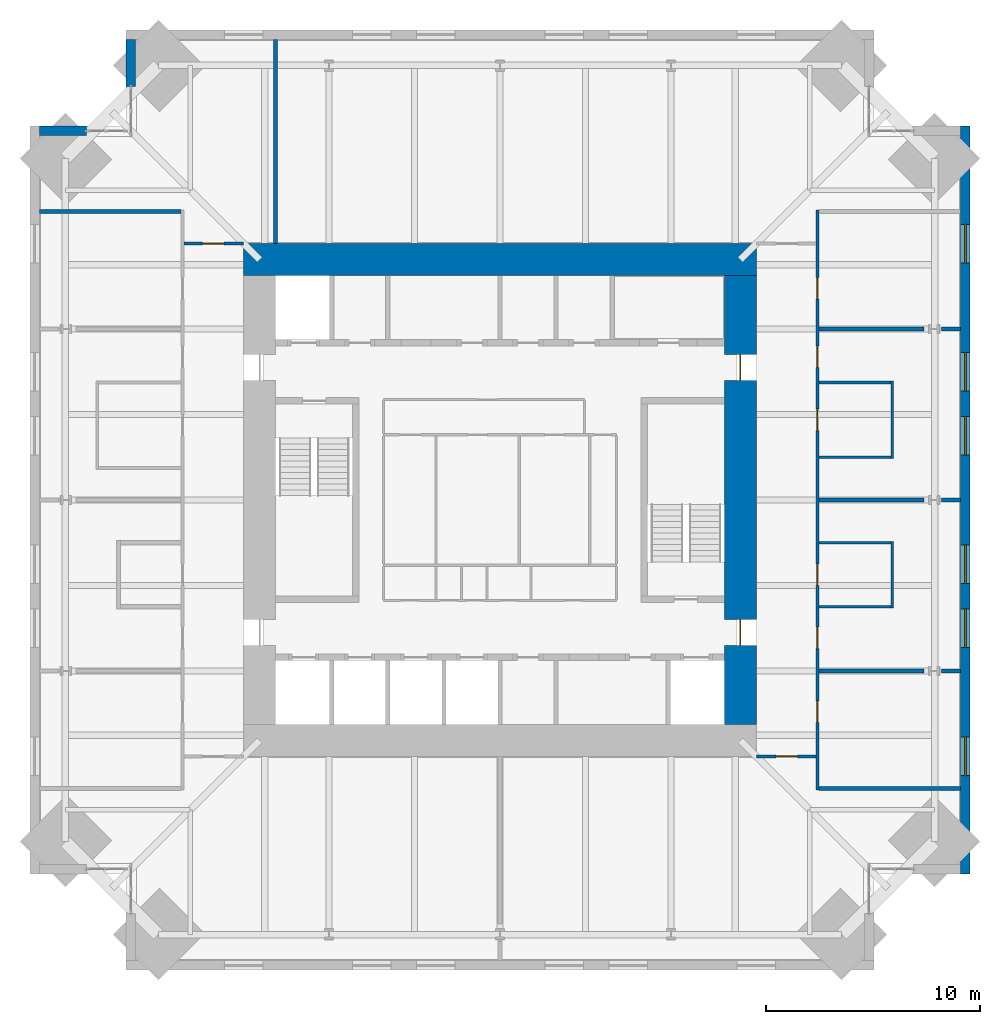
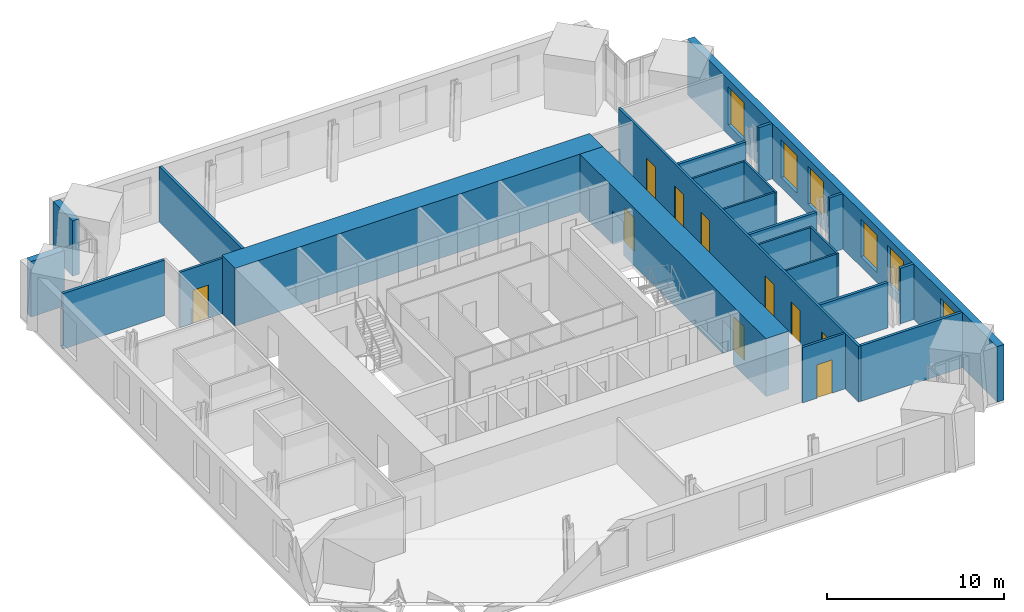
# One storey, part 14 of 16: 23 walls, 10 doors, 6 windows, 16 openings.
"""IFC4 building model written with IfcOpenShell, lengths in metres."""

from ifc_helpers import new_model, si_unit, direction, frame, frame_2d, origin, place, context, subcontext, project, spatial, rectangle, extrude, material, layer, layer_set, type_object, element, fill, save


model = new_model("IFC4")

# Units and contexts
model_context = context("Model", 3, precision=1e-05, world=origin(), true_north=direction((0.0, 1.0)))
body_context = subcontext(model_context, "Body", "Model", "MODEL_VIEW")
ifc_project = project(units=[si_unit("LENGTHUNIT", "METRE"), si_unit("AREAUNIT", "SQUARE_METRE"), si_unit("VOLUMEUNIT", "CUBIC_METRE"), si_unit("PLANEANGLEUNIT", "RADIAN"), si_unit("MASSUNIT", "GRAM", prefix="KILO")], contexts=[model_context])

# Site, building, storey
site_placement = place(None, origin())
site = spatial("IfcSite", under=ifc_project, at=site_placement, CompositionType="ELEMENT")
building_placement = place(site_placement, origin())
building = spatial("IfcBuilding", under=site, at=building_placement, Name="Peilmerk Tower", CompositionType="ELEMENT")
storey_placement = place(building_placement, frame((0.0, 0.0, 261.800048828125)))
storey = spatial("IfcBuildingStorey", under=building, at=storey_placement, Name="L58", CompositionType="ELEMENT", Elevation=261.800048828125)

# Wall, openings, windows
ifc_material_1 = material(Name="Precast concrete C45/55, board-marked finish", Category="concrete")
ifc_layer_1 = layer(ifc_material_1, 0.449951171875)
ifc_layer_set_1 = layer_set([ifc_layer_1], Name="Precast concrete C45/55, board-marked finish")
wall_type_1 = type_object("IfcWallType", Name="EW1 450 precast concrete facade wall, board-marked", PredefinedType="SOLIDWALL", material=ifc_layer_set_1)
wall_1_placement = place(storey_placement, frame((21.77490234375, -17.5, 0.0), z_axis=(0.0, 0.0, 1.0), x_axis=(0.0, 1.0, 0.0)))
wall_1 = element("IfcWall", 1, at=wall_1_placement, inside=storey, type_object=wall_type_1, Name="Facade wall E L58", PredefinedType="SOLIDWALL", context=body_context, shape_type="SweptSolid", body=[
    extrude(rectangle(XDim=35.0, YDim=0.449951171875, at=frame_2d((17.5, 0.0))), origin(), (0.0, 0.0, 1.0), 3.829833984375),
])
opening_1_placement = place(wall_1_placement, frame((4.60009765625, 0.0, 0.699951171875)))
opening_1 = element("IfcOpeningElement", 2, at=opening_1_placement, cuts=wall_1, Name="Opening W1", PredefinedType="OPENING", context=body_context, shape_type="SweptSolid", body=[
    extrude(rectangle(XDim=1.800048828125, YDim=2.60009765625, at=frame_2d((0.89990234375, 1.300048828125))), frame((0.0, 0.23486328125, 0.0), z_axis=(0.0, -1.0, 0.0), x_axis=(1.0, 0.0, 0.0)), (0.0, 0.0, 1.0), 0.469970703125),
])
opening_2_placement = place(wall_1_placement, frame((10.60009765625, 0.0, 0.699951171875)))
opening_2 = element("IfcOpeningElement", 3, at=opening_2_placement, cuts=wall_1, Name="Opening W1", PredefinedType="OPENING", context=body_context, shape_type="SweptSolid", body=[
    extrude(rectangle(XDim=1.800048828125, YDim=2.60009765625, at=frame_2d((0.89990234375, 1.300048828125))), frame((0.0, 0.23486328125, 0.0), z_axis=(0.0, -1.0, 0.0), x_axis=(1.0, 0.0, 0.0)), (0.0, 0.0, 1.0), 0.469970703125),
])
opening_3_placement = place(wall_1_placement, frame((13.60009765625, 0.0, 0.699951171875)))
opening_3 = element("IfcOpeningElement", 4, at=opening_3_placement, cuts=wall_1, Name="Opening W1", PredefinedType="OPENING", context=body_context, shape_type="SweptSolid", body=[
    extrude(rectangle(XDim=1.800048828125, YDim=2.60009765625, at=frame_2d((0.89990234375, 1.300048828125))), frame((0.0, 0.23486328125, 0.0), z_axis=(0.0, -1.0, 0.0), x_axis=(1.0, 0.0, 0.0)), (0.0, 0.0, 1.0), 0.469970703125),
])
opening_4_placement = place(wall_1_placement, frame((19.60009765625, 0.0, 0.699951171875)))
opening_4 = element("IfcOpeningElement", 5, at=opening_4_placement, cuts=wall_1, Name="Opening W1", PredefinedType="OPENING", context=body_context, shape_type="SweptSolid", body=[
    extrude(rectangle(XDim=1.800048828125, YDim=2.60009765625, at=frame_2d((0.89990234375, 1.300048828125))), frame((0.0, 0.23486328125, 0.0), z_axis=(0.0, -1.0, 0.0), x_axis=(1.0, 0.0, 0.0)), (0.0, 0.0, 1.0), 0.469970703125),
])
opening_5_placement = place(wall_1_placement, frame((22.60009765625, 0.0, 0.699951171875)))
opening_5 = element("IfcOpeningElement", 6, at=opening_5_placement, cuts=wall_1, Name="Opening W1", PredefinedType="OPENING", context=body_context, shape_type="SweptSolid", body=[
    extrude(rectangle(XDim=1.800048828125, YDim=2.60009765625, at=frame_2d((0.89990234375, 1.300048828125))), frame((0.0, 0.23486328125, 0.0), z_axis=(0.0, -1.0, 0.0), x_axis=(1.0, 0.0, 0.0)), (0.0, 0.0, 1.0), 0.469970703125),
])
opening_6_placement = place(wall_1_placement, frame((28.60009765625, 0.0, 0.699951171875)))
opening_6 = element("IfcOpeningElement", 7, at=opening_6_placement, cuts=wall_1, Name="Opening W1", PredefinedType="OPENING", context=body_context, shape_type="SweptSolid", body=[
    extrude(rectangle(XDim=1.800048828125, YDim=2.60009765625, at=frame_2d((0.89990234375, 1.300048828125))), frame((0.0, 0.23486328125, 0.0), z_axis=(0.0, -1.0, 0.0), x_axis=(1.0, 0.0, 0.0)), (0.0, 0.0, 1.0), 0.469970703125),
])
ifc_material_2 = material(Name="Aluminium frame, clear double glazing", Category="aluminium")
window_type = type_object("IfcWindowType", Name="W1 1800x2600 office window", PartitioningType="SINGLE_PANEL", PredefinedType="WINDOW", material=ifc_material_2)
window_1_placement = place(opening_1_placement, origin())
window_1 = element("IfcWindow", 8, at=window_1_placement, inside=storey, type_object=window_type, Name="Window W1 L58", OverallHeight=2.60009765625, OverallWidth=1.800048828125, PartitioningType="SINGLE_PANEL", PredefinedType="WINDOW", context=body_context, shape_type="SweptSolid", body=[
    extrude(rectangle(XDim=1.800048828125, YDim=2.60009765625, at=frame_2d((0.89990234375, 1.300048828125))), frame((0.0, 0.030029296875, 0.0), z_axis=(0.0, -1.0, 0.0), x_axis=(1.0, 0.0, 0.0)), (0.0, 0.0, 1.0), 0.06005859375),
])
fill(opening_1, window_1)
window_2_placement = place(opening_2_placement, origin())
window_2 = element("IfcWindow", 9, at=window_2_placement, inside=storey, type_object=window_type, Name="Window W1 L58", OverallHeight=2.60009765625, OverallWidth=1.800048828125, PartitioningType="SINGLE_PANEL", PredefinedType="WINDOW", context=body_context, shape_type="SweptSolid", body=[
    extrude(rectangle(XDim=1.800048828125, YDim=2.60009765625, at=frame_2d((0.89990234375, 1.300048828125))), frame((0.0, 0.030029296875, 0.0), z_axis=(0.0, -1.0, 0.0), x_axis=(1.0, 0.0, 0.0)), (0.0, 0.0, 1.0), 0.06005859375),
])
fill(opening_2, window_2)
window_3_placement = place(opening_3_placement, origin())
window_3 = element("IfcWindow", 10, at=window_3_placement, inside=storey, type_object=window_type, Name="Window W1 L58", OverallHeight=2.60009765625, OverallWidth=1.800048828125, PartitioningType="SINGLE_PANEL", PredefinedType="WINDOW", context=body_context, shape_type="SweptSolid", body=[
    extrude(rectangle(XDim=1.800048828125, YDim=2.60009765625, at=frame_2d((0.89990234375, 1.300048828125))), frame((0.0, 0.030029296875, 0.0), z_axis=(0.0, -1.0, 0.0), x_axis=(1.0, 0.0, 0.0)), (0.0, 0.0, 1.0), 0.06005859375),
])
fill(opening_3, window_3)
window_4_placement = place(opening_4_placement, origin())
window_4 = element("IfcWindow", 11, at=window_4_placement, inside=storey, type_object=window_type, Name="Window W1 L58", OverallHeight=2.60009765625, OverallWidth=1.800048828125, PartitioningType="SINGLE_PANEL", PredefinedType="WINDOW", context=body_context, shape_type="SweptSolid", body=[
    extrude(rectangle(XDim=1.800048828125, YDim=2.60009765625, at=frame_2d((0.89990234375, 1.300048828125))), frame((0.0, 0.030029296875, 0.0), z_axis=(0.0, -1.0, 0.0), x_axis=(1.0, 0.0, 0.0)), (0.0, 0.0, 1.0), 0.06005859375),
])
fill(opening_4, window_4)
window_5_placement = place(opening_5_placement, origin())
window_5 = element("IfcWindow", 12, at=window_5_placement, inside=storey, type_object=window_type, Name="Window W1 L58", OverallHeight=2.60009765625, OverallWidth=1.800048828125, PartitioningType="SINGLE_PANEL", PredefinedType="WINDOW", context=body_context, shape_type="SweptSolid", body=[
    extrude(rectangle(XDim=1.800048828125, YDim=2.60009765625, at=frame_2d((0.89990234375, 1.300048828125))), frame((0.0, 0.030029296875, 0.0), z_axis=(0.0, -1.0, 0.0), x_axis=(1.0, 0.0, 0.0)), (0.0, 0.0, 1.0), 0.06005859375),
])
fill(opening_5, window_5)
window_6_placement = place(opening_6_placement, origin())
window_6 = element("IfcWindow", 13, at=window_6_placement, inside=storey, type_object=window_type, Name="Window W1 L58", OverallHeight=2.60009765625, OverallWidth=1.800048828125, PartitioningType="SINGLE_PANEL", PredefinedType="WINDOW", context=body_context, shape_type="SweptSolid", body=[
    extrude(rectangle(XDim=1.800048828125, YDim=2.60009765625, at=frame_2d((0.89990234375, 1.300048828125))), frame((0.0, 0.030029296875, 0.0), z_axis=(0.0, -1.0, 0.0), x_axis=(1.0, 0.0, 0.0)), (0.0, 0.0, 1.0), 0.06005859375),
])
fill(opening_6, window_6)

# Walls
for number, where, z_axis, x_axis, name in (
    (14, (-17.27490234375, 19.353759765625, 0.0), (0.0, 0.0, 1.0), (0.0, 1.0, 0.0), "Facade wall NWA L58"),
    (15, (-19.353759765625, 17.27490234375, 0.0), (0.0, 0.0, 1.0), (-1.0, 0.0, 0.0), "Facade wall NWB L58"),
):
    element("IfcWall", number, at=place(storey_placement, frame(where, z_axis=z_axis, x_axis=x_axis)), inside=storey, type_object=wall_type_1, Name=name, PredefinedType="SOLIDWALL", context=body_context, shape_type="SweptSolid", body=[
        extrude(rectangle(XDim=2.1962890625, YDim=0.449951171875, at=frame_2d((1.09814453125, 0.0))), origin(), (0.0, 0.0, 1.0), 3.829833984375),
    ])

# Wall, openings, doors
ifc_material_3 = material(Name="Calcium silicate block", Category="masonry")
ifc_layer_2 = layer(ifc_material_3, 0.14990234375)
ifc_layer_set_2 = layer_set([ifc_layer_2], Name="Calcium silicate block")
wall_type_2 = type_object("IfcWallType", Name="IW1 150 corridor partition, EI 60", PredefinedType="PARTITIONING", material=ifc_layer_set_2)
wall_2_placement = place(storey_placement, frame((14.85009765625, -13.574951171875, 0.0), z_axis=(0.0, 0.0, 1.0), x_axis=(0.0, 1.0, 0.0)))
wall_2 = element("IfcWall", 16, at=wall_2_placement, inside=storey, type_object=wall_type_2, Name="Corridor wall E L58", PredefinedType="PARTITIONING", context=body_context, shape_type="SweptSolid", body=[
    extrude(rectangle(XDim=27.14990234375, YDim=0.14990234375, at=frame_2d((13.574951171875, 0.0))), origin(), (0.0, 0.0, 1.0), 3.829833984375),
])
opening_7_placement = place(wall_2_placement, frame((3.175048828125, 0.0, 0.0)))
opening_7 = element("IfcOpeningElement", 17, at=opening_7_placement, cuts=wall_2, Name="Opening D1", PredefinedType="OPENING", context=body_context, shape_type="SweptSolid", body=[
    extrude(rectangle(XDim=1.0, YDim=2.300048828125, at=frame_2d((0.5, 1.14990234375))), frame((0.0, 0.0849609375, 0.0), z_axis=(0.0, -1.0, 0.0), x_axis=(1.0, 0.0, 0.0)), (0.0, 0.0, 1.0), 0.169921875),
])
opening_8_placement = place(wall_2_placement, frame((6.625, 0.0, 0.0)))
opening_8 = element("IfcOpeningElement", 18, at=opening_8_placement, cuts=wall_2, Name="Opening D1", PredefinedType="OPENING", context=body_context, shape_type="SweptSolid", body=[
    extrude(rectangle(XDim=1.0, YDim=2.300048828125, at=frame_2d((0.5, 1.14990234375))), frame((0.0, 0.0849609375, 0.0), z_axis=(0.0, -1.0, 0.0), x_axis=(1.0, 0.0, 0.0)), (0.0, 0.0, 1.0), 0.169921875),
])
opening_9_placement = place(wall_2_placement, frame((19.77490234375, 0.0, 0.0)))
opening_9 = element("IfcOpeningElement", 19, at=opening_9_placement, cuts=wall_2, Name="Opening D1", PredefinedType="OPENING", context=body_context, shape_type="SweptSolid", body=[
    extrude(rectangle(XDim=1.0, YDim=2.300048828125, at=frame_2d((0.5, 1.14990234375))), frame((0.0, 0.0849609375, 0.0), z_axis=(0.0, -1.0, 0.0), x_axis=(1.0, 0.0, 0.0)), (0.0, 0.0, 1.0), 0.169921875),
])
opening_10_placement = place(wall_2_placement, frame((22.97509765625, 0.0, 0.0)))
opening_10 = element("IfcOpeningElement", 20, at=opening_10_placement, cuts=wall_2, Name="Opening D1", PredefinedType="OPENING", context=body_context, shape_type="SweptSolid", body=[
    extrude(rectangle(XDim=1.0, YDim=2.300048828125, at=frame_2d((0.5, 1.14990234375))), frame((0.0, 0.0849609375, 0.0), z_axis=(0.0, -1.0, 0.0), x_axis=(1.0, 0.0, 0.0)), (0.0, 0.0, 1.0), 0.169921875),
])
opening_11_placement = place(wall_2_placement, frame((16.824951171875, 0.0, 0.0)))
opening_11 = element("IfcOpeningElement", 21, at=opening_11_placement, cuts=wall_2, Name="Opening D1", PredefinedType="OPENING", context=body_context, shape_type="SweptSolid", body=[
    extrude(rectangle(XDim=1.0, YDim=2.300048828125, at=frame_2d((0.5, 1.14990234375))), frame((0.0, 0.0849609375, 0.0), z_axis=(0.0, -1.0, 0.0), x_axis=(1.0, 0.0, 0.0)), (0.0, 0.0, 1.0), 0.169921875),
])
opening_12_placement = place(wall_2_placement, frame((9.574951171875, 0.0, 0.0)))
opening_12 = element("IfcOpeningElement", 22, at=opening_12_placement, cuts=wall_2, Name="Opening D1", PredefinedType="OPENING", context=body_context, shape_type="SweptSolid", body=[
    extrude(rectangle(XDim=1.0, YDim=2.300048828125, at=frame_2d((0.5, 1.14990234375))), frame((0.0, 0.0849609375, 0.0), z_axis=(0.0, -1.0, 0.0), x_axis=(1.0, 0.0, 0.0)), (0.0, 0.0, 1.0), 0.169921875),
])
ifc_material_4 = material(Name="Timber door in steel frame", Category="steel")
door_type_1 = type_object("IfcDoorType", Name="D1 1000x2300 room door, EI2 30", OperationType="SINGLE_SWING_LEFT", PredefinedType="DOOR", material=ifc_material_4)
door_1_placement = place(opening_7_placement, frame((1.0, 0.0, 0.0), z_axis=(0.0, 0.0, 1.0), x_axis=(-1.0, 0.0, 0.0)))
door_1 = element("IfcDoor", 23, at=door_1_placement, inside=storey, type_object=door_type_1, Name="Door Office L58", OperationType="SINGLE_SWING_LEFT", OverallHeight=2.300048828125, OverallWidth=1.0, PredefinedType="DOOR", context=body_context, shape_type="SweptSolid", body=[
    extrude(rectangle(XDim=1.0, YDim=2.300048828125, at=frame_2d((0.5, 1.14990234375))), frame((0.0, 0.02490234375, 0.0), z_axis=(0.0, -1.0, 0.0), x_axis=(1.0, 0.0, 0.0)), (0.0, 0.0, 1.0), 0.050048828125),
])
fill(opening_7, door_1)
door_2_placement = place(opening_8_placement, frame((1.0, 0.0, 0.0), z_axis=(0.0, 0.0, 1.0), x_axis=(-1.0, 0.0, 0.0)))
door_2 = element("IfcDoor", 24, at=door_2_placement, inside=storey, type_object=door_type_1, Name="Door Office L58", OperationType="SINGLE_SWING_LEFT", OverallHeight=2.300048828125, OverallWidth=1.0, PredefinedType="DOOR", context=body_context, shape_type="SweptSolid", body=[
    extrude(rectangle(XDim=1.0, YDim=2.300048828125, at=frame_2d((0.5, 1.14990234375))), frame((0.0, 0.02490234375, 0.0), z_axis=(0.0, -1.0, 0.0), x_axis=(1.0, 0.0, 0.0)), (0.0, 0.0, 1.0), 0.050048828125),
])
fill(opening_8, door_2)
door_3_placement = place(opening_9_placement, frame((1.0, 0.0, 0.0), z_axis=(0.0, 0.0, 1.0), x_axis=(-1.0, 0.0, 0.0)))
door_3 = element("IfcDoor", 25, at=door_3_placement, inside=storey, type_object=door_type_1, Name="Door Office L58", OperationType="SINGLE_SWING_LEFT", OverallHeight=2.300048828125, OverallWidth=1.0, PredefinedType="DOOR", context=body_context, shape_type="SweptSolid", body=[
    extrude(rectangle(XDim=1.0, YDim=2.300048828125, at=frame_2d((0.5, 1.14990234375))), frame((0.0, 0.02490234375, 0.0), z_axis=(0.0, -1.0, 0.0), x_axis=(1.0, 0.0, 0.0)), (0.0, 0.0, 1.0), 0.050048828125),
])
fill(opening_9, door_3)
door_4_placement = place(opening_10_placement, frame((1.0, 0.0, 0.0), z_axis=(0.0, 0.0, 1.0), x_axis=(-1.0, 0.0, 0.0)))
door_4 = element("IfcDoor", 26, at=door_4_placement, inside=storey, type_object=door_type_1, Name="Door Office L58", OperationType="SINGLE_SWING_LEFT", OverallHeight=2.300048828125, OverallWidth=1.0, PredefinedType="DOOR", context=body_context, shape_type="SweptSolid", body=[
    extrude(rectangle(XDim=1.0, YDim=2.300048828125, at=frame_2d((0.5, 1.14990234375))), frame((0.0, 0.02490234375, 0.0), z_axis=(0.0, -1.0, 0.0), x_axis=(1.0, 0.0, 0.0)), (0.0, 0.0, 1.0), 0.050048828125),
])
fill(opening_10, door_4)
door_5_placement = place(opening_11_placement, frame((1.0, 0.0, 0.0), z_axis=(0.0, 0.0, 1.0), x_axis=(-1.0, 0.0, 0.0)))
door_5 = element("IfcDoor", 27, at=door_5_placement, inside=storey, type_object=door_type_1, Name="Door Pantry L58", OperationType="SINGLE_SWING_LEFT", OverallHeight=2.300048828125, OverallWidth=1.0, PredefinedType="DOOR", context=body_context, shape_type="SweptSolid", body=[
    extrude(rectangle(XDim=1.0, YDim=2.300048828125, at=frame_2d((0.5, 1.14990234375))), frame((0.0, 0.02490234375, 0.0), z_axis=(0.0, -1.0, 0.0), x_axis=(1.0, 0.0, 0.0)), (0.0, 0.0, 1.0), 0.050048828125),
])
fill(opening_11, door_5)
door_6_placement = place(opening_12_placement, frame((1.0, 0.0, 0.0), z_axis=(0.0, 0.0, 1.0), x_axis=(-1.0, 0.0, 0.0)))
door_6 = element("IfcDoor", 28, at=door_6_placement, inside=storey, type_object=door_type_1, Name="Door Focus room L58", OperationType="SINGLE_SWING_LEFT", OverallHeight=2.300048828125, OverallWidth=1.0, PredefinedType="DOOR", context=body_context, shape_type="SweptSolid", body=[
    extrude(rectangle(XDim=1.0, YDim=2.300048828125, at=frame_2d((0.5, 1.14990234375))), frame((0.0, 0.02490234375, 0.0), z_axis=(0.0, -1.0, 0.0), x_axis=(1.0, 0.0, 0.0)), (0.0, 0.0, 1.0), 0.050048828125),
])
fill(opening_12, door_6)

# Wall, opening, door
wall_3_placement = place(storey_placement, frame((-14.77490234375, 12.0, 0.0), z_axis=(0.0, 0.0, 1.0), x_axis=(1.0, 0.0, 0.0)))
wall_3 = element("IfcWall", 29, at=wall_3_placement, inside=storey, type_object=wall_type_2, Name="Corridor wall NW L58", PredefinedType="PARTITIONING", context=body_context, shape_type="SweptSolid", body=[
    extrude(rectangle(XDim=2.77490234375, YDim=0.14990234375, at=frame_2d((1.387451171875, 0.0))), origin(), (0.0, 0.0, 1.0), 3.829833984375),
])
opening_13_placement = place(wall_3_placement, frame((0.85009765625, 0.0, 0.0)))
opening_13 = element("IfcOpeningElement", 30, at=opening_13_placement, cuts=wall_3, Name="Opening D1", PredefinedType="OPENING", context=body_context, shape_type="SweptSolid", body=[
    extrude(rectangle(XDim=1.0, YDim=2.300048828125, at=frame_2d((0.5, 1.14990234375))), frame((0.0, 0.0849609375, 0.0), z_axis=(0.0, -1.0, 0.0), x_axis=(1.0, 0.0, 0.0)), (0.0, 0.0, 1.0), 0.169921875),
])
door_7_placement = place(opening_13_placement, origin())
door_7 = element("IfcDoor", 31, at=door_7_placement, inside=storey, type_object=door_type_1, Name="Door Office L58", OperationType="SINGLE_SWING_LEFT", OverallHeight=2.300048828125, OverallWidth=1.0, PredefinedType="DOOR", context=body_context, shape_type="SweptSolid", body=[
    extrude(rectangle(XDim=1.0, YDim=2.300048828125, at=frame_2d((0.5, 1.14990234375))), frame((0.0, 0.02490234375, 0.0), z_axis=(0.0, -1.0, 0.0), x_axis=(1.0, 0.0, 0.0)), (0.0, 0.0, 1.0), 0.050048828125),
])
fill(opening_13, door_7)

wall_4_placement = place(storey_placement, frame((14.77490234375, -12.0, 0.0), z_axis=(0.0, 0.0, 1.0), x_axis=(-1.0, 0.0, 0.0)))
wall_4 = element("IfcWall", 32, at=wall_4_placement, inside=storey, type_object=wall_type_2, Name="Corridor wall SE L58", PredefinedType="PARTITIONING", context=body_context, shape_type="SweptSolid", body=[
    extrude(rectangle(XDim=2.77490234375, YDim=0.14990234375, at=frame_2d((1.387451171875, 0.0))), origin(), (0.0, 0.0, 1.0), 3.829833984375),
])
opening_14_placement = place(wall_4_placement, frame((0.85009765625, 0.0, 0.0)))
opening_14 = element("IfcOpeningElement", 33, at=opening_14_placement, cuts=wall_4, Name="Opening D1", PredefinedType="OPENING", context=body_context, shape_type="SweptSolid", body=[
    extrude(rectangle(XDim=1.0, YDim=2.300048828125, at=frame_2d((0.5, 1.14990234375))), frame((0.0, 0.0849609375, 0.0), z_axis=(0.0, -1.0, 0.0), x_axis=(1.0, 0.0, 0.0)), (0.0, 0.0, 1.0), 0.169921875),
])
door_8_placement = place(opening_14_placement, origin())
door_8 = element("IfcDoor", 34, at=door_8_placement, inside=storey, type_object=door_type_1, Name="Door Office L58", OperationType="SINGLE_SWING_LEFT", OverallHeight=2.300048828125, OverallWidth=1.0, PredefinedType="DOOR", context=body_context, shape_type="SweptSolid", body=[
    extrude(rectangle(XDim=1.0, YDim=2.300048828125, at=frame_2d((0.5, 1.14990234375))), frame((0.0, 0.02490234375, 0.0), z_axis=(0.0, -1.0, 0.0), x_axis=(1.0, 0.0, 0.0)), (0.0, 0.0, 1.0), 0.050048828125),
])
fill(opening_14, door_8)

# Walls
ifc_material_5 = material(Name="Plasterboard on steel studs, double boarded with mineral wool", Category="steel")
ifc_layer_3 = layer(ifc_material_5, 0.125)
ifc_layer_set_3 = layer_set([ifc_layer_3], Name="Plasterboard on steel studs, double boarded with mineral wool")
wall_type_3 = type_object("IfcWallType", Name="IW7 125 acoustic partition, EI 30", PredefinedType="PARTITIONING", material=ifc_layer_set_3)
wall_5_placement = place(storey_placement, frame((18.35009765625, 1.9375, 0.0), z_axis=(0.0, 0.0, 1.0), x_axis=(0.0, 1.0, 0.0)))
element("IfcWall", 35, at=wall_5_placement, inside=storey, type_object=wall_type_3, Name="Acoustic partition Pantry L58", PredefinedType="PARTITIONING", context=body_context, shape_type="SweptSolid", body=[
    extrude(rectangle(XDim=3.625, YDim=0.125, at=frame_2d((1.8125, 0.0))), origin(), (0.0, 0.0, 1.0), 3.829833984375),
])
for number, where, z_axis, x_axis, name in (
    (36, (14.925048828125, 2.0, 0.0), (0.0, 0.0, 1.0), (1.0, 0.0, 0.0), "Acoustic partition Pantry L58"),
    (37, (14.925048828125, 5.5, 0.0), (0.0, 0.0, 1.0), (1.0, 0.0, 0.0), "Acoustic partition Pantry L58"),
):
    element("IfcWall", number, at=place(storey_placement, frame(where, z_axis=z_axis, x_axis=x_axis)), inside=storey, type_object=wall_type_3, Name=name, PredefinedType="PARTITIONING", context=body_context, shape_type="SweptSolid", body=[
        extrude(rectangle(XDim=3.362548828125, YDim=0.125, at=frame_2d((1.68115234375, 0.0))), origin(), (0.0, 0.0, 1.0), 3.829833984375),
    ])
wall_6_placement = place(storey_placement, frame((18.35009765625, -5.0625, 0.0), z_axis=(0.0, 0.0, 1.0), x_axis=(0.0, 1.0, 0.0)))
element("IfcWall", 38, at=wall_6_placement, inside=storey, type_object=wall_type_3, Name="Acoustic partition Focus room L58", PredefinedType="PARTITIONING", context=body_context, shape_type="SweptSolid", body=[
    extrude(rectangle(XDim=3.125, YDim=0.125, at=frame_2d((1.5625, 0.0))), origin(), (0.0, 0.0, 1.0), 3.829833984375),
])
for number, where, z_axis, x_axis, name in (
    (39, (14.925048828125, -5.0, 0.0), (0.0, 0.0, 1.0), (1.0, 0.0, 0.0), "Acoustic partition Focus room L58"),
    (40, (14.925048828125, -2.0, 0.0), (0.0, 0.0, 1.0), (1.0, 0.0, 0.0), "Acoustic partition Focus room L58"),
):
    element("IfcWall", number, at=place(storey_placement, frame(where, z_axis=z_axis, x_axis=x_axis)), inside=storey, type_object=wall_type_3, Name=name, PredefinedType="PARTITIONING", context=body_context, shape_type="SweptSolid", body=[
        extrude(rectangle(XDim=3.362548828125, YDim=0.125, at=frame_2d((1.68115234375, 0.0))), origin(), (0.0, 0.0, 1.0), 3.829833984375),
    ])
ifc_layer_4 = layer(ifc_material_3, 0.175048828125)
ifc_layer_set_4 = layer_set([ifc_layer_4], Name="Calcium silicate block")
wall_type_4 = type_object("IfcWallType", Name="IW8 175 tenant separating wall, EI 60", PredefinedType="PARTITIONING", material=ifc_layer_set_4)
for number, where, z_axis, x_axis, name in (
    (41, (-21.550048828125, 13.5, 0.0), (0.0, 0.0, 1.0), (1.0, 0.0, 0.0), "Tenant separating wall NW L58"),
    (42, (21.550048828125, -13.5, 0.0), (0.0, 0.0, 1.0), (-1.0, 0.0, 0.0), "Tenant separating wall SE L58"),
):
    element("IfcWall", number, at=place(storey_placement, frame(where, z_axis=z_axis, x_axis=x_axis)), inside=storey, type_object=wall_type_4, Name=name, PredefinedType="PARTITIONING", context=body_context, shape_type="SweptSolid", body=[
        extrude(rectangle(XDim=6.625, YDim=0.175048828125, at=frame_2d((3.3125, 0.0))), origin(), (0.0, 0.0, 1.0), 3.829833984375),
    ])
wall_7_placement = place(storey_placement, frame((-10.5, 12.0, 0.0), z_axis=(0.0, 0.0, 1.0), x_axis=(0.0, 1.0, 0.0)))
element("IfcWall", 43, at=wall_7_placement, inside=storey, type_object=wall_type_4, Name="Tenant separating wall N1 L58", PredefinedType="PARTITIONING", context=body_context, shape_type="SweptSolid", body=[
    extrude(rectangle(XDim=9.550048828125, YDim=0.175048828125, at=frame_2d((4.77490234375, 0.0))), origin(), (0.0, 0.0, 1.0), 3.829833984375),
])
wall_8_placement = place(storey_placement, frame((14.925048828125, -8.0, 0.0), z_axis=(0.0, 0.0, 1.0), x_axis=(1.0, 0.0, 0.0)))
element("IfcWall", 44, at=wall_8_placement, inside=storey, type_object=wall_type_4, Name="Tenant separating wall E1 L58", PredefinedType="PARTITIONING", context=body_context, shape_type="SweptSolid", body=[
    extrude(rectangle(XDim=4.92431640625, YDim=0.175048828125, at=frame_2d((2.462158203125, 0.0))), origin(), (0.0, 0.0, 1.0), 3.139892578125),
])
wall_9_placement = place(storey_placement, frame((20.669921875, -8.0, 0.0), z_axis=(0.0, 0.0, 1.0), x_axis=(1.0, 0.0, 0.0)))
element("IfcWall", 45, at=wall_9_placement, inside=storey, type_object=wall_type_4, Name="Tenant separating wall E1b L58", PredefinedType="PARTITIONING", context=body_context, shape_type="SweptSolid", body=[
    extrude(rectangle(XDim=0.880126953125, YDim=0.175048828125, at=frame_2d((0.43994140625, 0.0))), origin(), (0.0, 0.0, 1.0), 3.829833984375),
])
wall_10_placement = place(storey_placement, frame((14.925048828125, 0.0, 0.0), z_axis=(0.0, 0.0, 1.0), x_axis=(1.0, 0.0, 0.0)))
element("IfcWall", 46, at=wall_10_placement, inside=storey, type_object=wall_type_4, Name="Tenant separating wall E2 L58", PredefinedType="PARTITIONING", context=body_context, shape_type="SweptSolid", body=[
    extrude(rectangle(XDim=4.92431640625, YDim=0.175048828125, at=frame_2d((2.462158203125, 0.0))), origin(), (0.0, 0.0, 1.0), 3.139892578125),
])
wall_11_placement = place(storey_placement, frame((20.669921875, 0.0, 0.0), z_axis=(0.0, 0.0, 1.0), x_axis=(1.0, 0.0, 0.0)))
element("IfcWall", 47, at=wall_11_placement, inside=storey, type_object=wall_type_4, Name="Tenant separating wall E2b L58", PredefinedType="PARTITIONING", context=body_context, shape_type="SweptSolid", body=[
    extrude(rectangle(XDim=0.880126953125, YDim=0.175048828125, at=frame_2d((0.43994140625, 0.0))), origin(), (0.0, 0.0, 1.0), 3.829833984375),
])
wall_12_placement = place(storey_placement, frame((14.925048828125, 8.0, 0.0), z_axis=(0.0, 0.0, 1.0), x_axis=(1.0, 0.0, 0.0)))
element("IfcWall", 48, at=wall_12_placement, inside=storey, type_object=wall_type_4, Name="Tenant separating wall E3 L58", PredefinedType="PARTITIONING", context=body_context, shape_type="SweptSolid", body=[
    extrude(rectangle(XDim=4.92431640625, YDim=0.175048828125, at=frame_2d((2.462158203125, 0.0))), origin(), (0.0, 0.0, 1.0), 3.139892578125),
])
wall_13_placement = place(storey_placement, frame((20.669921875, 8.0, 0.0), z_axis=(0.0, 0.0, 1.0), x_axis=(1.0, 0.0, 0.0)))
element("IfcWall", 49, at=wall_13_placement, inside=storey, type_object=wall_type_4, Name="Tenant separating wall E3b L58", PredefinedType="PARTITIONING", context=body_context, shape_type="SweptSolid", body=[
    extrude(rectangle(XDim=0.880126953125, YDim=0.175048828125, at=frame_2d((0.43994140625, 0.0))), origin(), (0.0, 0.0, 1.0), 3.829833984375),
])
ifc_material_6 = material(Name="Concrete C55/67", Category="concrete")
ifc_layer_5 = layer(ifc_material_6, 1.5)
ifc_layer_set_5 = layer_set([ifc_layer_5], Name="Concrete C55/67")
wall_type_5 = type_object("IfcWallType", Name="SW1 1500 core wall", PredefinedType="SHEAR", material=ifc_layer_set_5)
wall_14_placement = place(storey_placement, frame((-12.0, 11.25, 0.0), z_axis=(0.0, 0.0, 1.0), x_axis=(1.0, 0.0, 0.0)))
element("IfcWall", 50, at=wall_14_placement, inside=storey, type_object=wall_type_5, Name="Core wall N L58", PredefinedType="SHEAR", context=body_context, shape_type="SweptSolid", body=[
    extrude(rectangle(XDim=24.0, YDim=1.5, at=frame_2d((12.0, 0.0))), origin(), (0.0, 0.0, 1.0), 4.0),
])

# Wall, openings, doors
wall_15_placement = place(storey_placement, frame((11.25, 10.5, 0.0), z_axis=(0.0, 0.0, 1.0), x_axis=(0.0, -1.0, 0.0)))
wall_15 = element("IfcWall", 51, at=wall_15_placement, inside=storey, type_object=wall_type_5, Name="Core wall E L58", PredefinedType="SHEAR", context=body_context, shape_type="SweptSolid", body=[
    extrude(rectangle(XDim=21.0, YDim=1.5, at=frame_2d((10.5, 0.0))), origin(), (0.0, 0.0, 1.0), 4.0),
])
opening_15_placement = place(wall_15_placement, frame((3.699951171875, 0.0, 0.0)))
opening_15 = element("IfcOpeningElement", 52, at=opening_15_placement, cuts=wall_15, Name="Opening D3", PredefinedType="OPENING", context=body_context, shape_type="SweptSolid", body=[
    extrude(rectangle(XDim=1.199951171875, YDim=2.300048828125, at=frame_2d((0.60009765625, 1.14990234375))), frame((0.0, 0.760009765625, 0.0), z_axis=(0.0, -1.0, 0.0), x_axis=(1.0, 0.0, 0.0)), (0.0, 0.0, 1.0), 1.52001953125),
])
opening_16_placement = place(wall_15_placement, frame((16.10009765625, 0.0, 0.0)))
opening_16 = element("IfcOpeningElement", 53, at=opening_16_placement, cuts=wall_15, Name="Opening D3", PredefinedType="OPENING", context=body_context, shape_type="SweptSolid", body=[
    extrude(rectangle(XDim=1.199951171875, YDim=2.300048828125, at=frame_2d((0.60009765625, 1.14990234375))), frame((0.0, 0.760009765625, 0.0), z_axis=(0.0, -1.0, 0.0), x_axis=(1.0, 0.0, 0.0)), (0.0, 0.0, 1.0), 1.52001953125),
])
ifc_material_7 = material(Name="Steel door in steel frame", Category="steel")
door_type_2 = type_object("IfcDoorType", Name="D3 1200x2300 core door, EI2 60", OperationType="SINGLE_SWING_LEFT", PredefinedType="DOOR", material=ifc_material_7)
door_9_placement = place(opening_15_placement, frame((1.199951171875, 0.0, 0.0), z_axis=(0.0, 0.0, 1.0), x_axis=(-1.0, 0.0, 0.0)))
door_9 = element("IfcDoor", 54, at=door_9_placement, inside=storey, type_object=door_type_2, Name="Core door L58", OperationType="SINGLE_SWING_LEFT", OverallHeight=2.300048828125, OverallWidth=1.199951171875, PredefinedType="DOOR", context=body_context, shape_type="SweptSolid", body=[
    extrude(rectangle(XDim=1.199951171875, YDim=2.300048828125, at=frame_2d((0.60009765625, 1.14990234375))), frame((0.0, 0.02490234375, 0.0), z_axis=(0.0, -1.0, 0.0), x_axis=(1.0, 0.0, 0.0)), (0.0, 0.0, 1.0), 0.050048828125),
])
fill(opening_15, door_9)
door_10_placement = place(opening_16_placement, frame((1.199951171875, 0.0, 0.0), z_axis=(0.0, 0.0, 1.0), x_axis=(-1.0, 0.0, 0.0)))
door_10 = element("IfcDoor", 55, at=door_10_placement, inside=storey, type_object=door_type_2, Name="Core door L58", OperationType="SINGLE_SWING_LEFT", OverallHeight=2.300048828125, OverallWidth=1.199951171875, PredefinedType="DOOR", context=body_context, shape_type="SweptSolid", body=[
    extrude(rectangle(XDim=1.199951171875, YDim=2.300048828125, at=frame_2d((0.60009765625, 1.14990234375))), frame((0.0, 0.02490234375, 0.0), z_axis=(0.0, -1.0, 0.0), x_axis=(1.0, 0.0, 0.0)), (0.0, 0.0, 1.0), 0.050048828125),
])
fill(opening_16, door_10)

save(model, "model.ifc")
